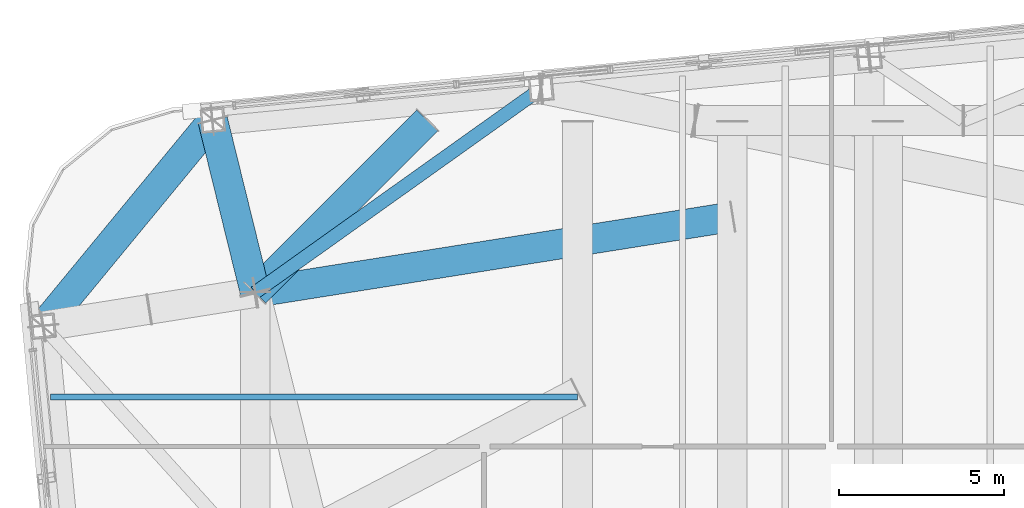
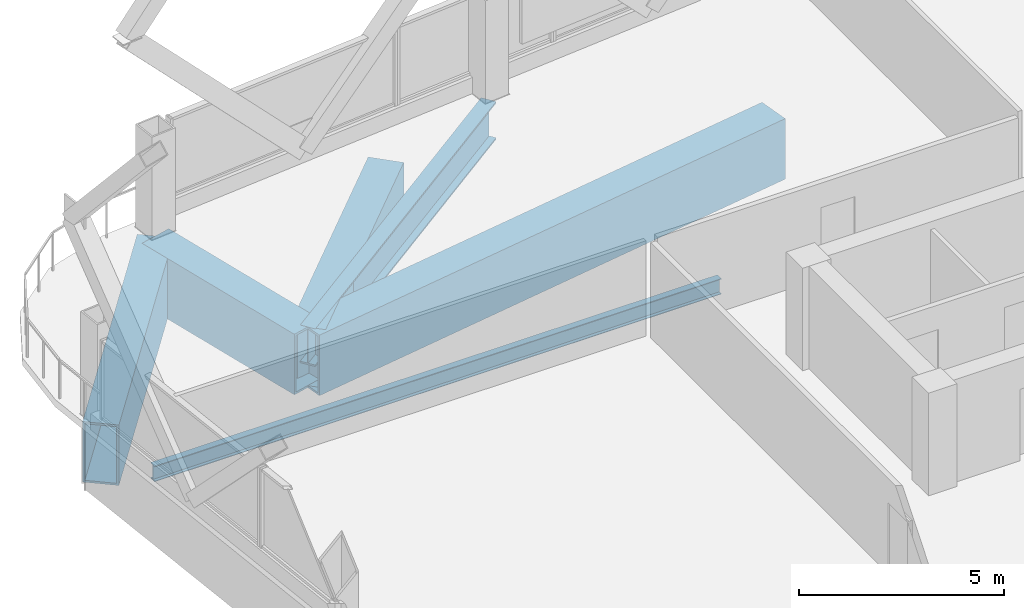
# One storey, part 21 of 37: 6 beams.
"""IFC4 building model written with IfcOpenShell, lengths in metres."""

from ifc_helpers import new_model, si_unit, direction, frame, origin, origin_2d, place, context, subcontext, project, spatial, hollow_rectangle, i_section, extrude, material, material_profile, profile_set, type_object, element, save


model = new_model("IFC4")

# Units and contexts
model_context = context("Model", 3, precision=1e-05, world=origin(), true_north=direction((0.0, 1.0)))
body_context = subcontext(model_context, "Body", "Model", "MODEL_VIEW")
ifc_project = project(units=[si_unit("LENGTHUNIT", "METRE"), si_unit("AREAUNIT", "SQUARE_METRE"), si_unit("VOLUMEUNIT", "CUBIC_METRE"), si_unit("PLANEANGLEUNIT", "RADIAN"), si_unit("MASSUNIT", "GRAM", prefix="KILO")], contexts=[model_context])

# Site, building, storey
site_placement = place(None, origin())
site = spatial("IfcSite", under=ifc_project, at=site_placement, CompositionType="ELEMENT")
building_placement = place(site_placement, origin())
building = spatial("IfcBuilding", under=site, at=building_placement, Name="Qhalaya Broadcast Tower", CompositionType="ELEMENT")
storey_placement = place(building_placement, frame((0.0, 0.0, 156.14990234375)))
storey = spatial("IfcBuildingStorey", under=building, at=storey_placement, Name="L45", CompositionType="ELEMENT", Elevation=156.14990234375)

# Beams
ifc_material_1 = material(Name="Structural Steel ASTM A572 Grade 50", Category="steel")
ifc_material_profile_1 = material_profile(ifc_material_1, hollow_rectangle(XDim=0.89990234375, YDim=1.800048828125, WallThickness=0.06005859375, at=origin_2d()), Name="BOX 900x1800x60")
ifc_profile_set_1 = profile_set([ifc_material_profile_1], Name="Structural Steel ASTM A572 Grade 50")
beam_type_1 = type_object("IfcBeamType", Name="Block Cantilever Transfer Box Girder TG1", PredefinedType="USERDEFINED", material=ifc_profile_set_1)
beam_1_placement = place(storey_placement, frame((-20.400390625, 22.662109375, -1.119873046875), z_axis=(-0.636070241972, -0.771631160126, 0.0), x_axis=(0.771631160126, -0.636070241972, 0.0)))
element("IfcBeam", 1, at=beam_1_placement, inside=storey, type_object=beam_type_1, Name="L45 TG1 L45-SPR-12", ObjectType="GIRDER", PredefinedType="USERDEFINED", context=body_context, shape_type="SweptSolid", body=[
    extrude(hollow_rectangle(XDim=0.89990234375, YDim=1.800048828125, WallThickness=0.06005859375, at=origin_2d()), origin(), (0.0, 0.0, 1.0), 8.06103515625),
])
beam_2_placement = place(storey_placement, frame((-13.919921875, 22.659912109375, -1.119873046875), z_axis=(-0.707123380132, -0.707090181851, 0.0), x_axis=(0.707090181851, -0.707123380132, 0.0)))
element("IfcBeam", 2, at=beam_2_placement, inside=storey, type_object=beam_type_1, Name="L45 TG1 L45-TGL-12", ObjectType="GIRDER", PredefinedType="USERDEFINED", context=body_context, shape_type="SweptSolid", body=[
    extrude(hollow_rectangle(XDim=0.89990234375, YDim=1.800048828125, WallThickness=0.06005859375, at=origin_2d()), origin(), (0.0, 0.0, 1.0), 7.35400390625),
])
beam_3_placement = place(storey_placement, frame((-19.1201171875, 17.4599609375, -1.119873046875), z_axis=(-0.238974096269, 0.971025942657, 0.0), x_axis=(-0.971025942657, -0.238974096269, 0.0)))
element("IfcBeam", 3, at=beam_3_placement, inside=storey, type_object=beam_type_1, Name="L45 Cantilever Transfer Box Girder 12", ObjectType="GIRDER", PredefinedType="USERDEFINED", context=body_context, shape_type="SweptSolid", body=[
    extrude(hollow_rectangle(XDim=0.89990234375, YDim=1.800048828125, WallThickness=0.06005859375, at=origin_2d()), origin(), (0.0, 0.0, 1.0), 5.357421875),
])
beam_4_placement = place(storey_placement, frame((-4.699951171875, 19.7509765625, -1.119873046875), z_axis=(-0.987613246031, -0.156907859151, 0.0), x_axis=(0.156907859151, -0.987613246031, 0.0)))
element("IfcBeam", 4, at=beam_4_placement, inside=storey, type_object=beam_type_1, Name="L45 Collinear Back-Span Transfer Box Girder 13", ObjectType="GIRDER", PredefinedType="USERDEFINED", context=body_context, shape_type="SweptSolid", body=[
    extrude(hollow_rectangle(XDim=0.89990234375, YDim=1.800048828125, WallThickness=0.06005859375, at=origin_2d()), origin(), (0.0, 0.0, 1.0), 14.60107421875),
])
ifc_material_2 = material(Name="Structural Steel ASTM A992 Grade 50", Category="steel")
ifc_material_profile_2 = material_profile(ifc_material_2, i_section(OverallWidth=0.19189453125, OverallDepth=0.462890625, WebThickness=0.010498046875, FlangeThickness=0.017578125, at=origin_2d()), Name="W18X60")
ifc_profile_set_2 = profile_set([ifc_material_profile_2], Name="Structural Steel ASTM A992 Grade 50")
beam_type_2 = type_object("IfcBeamType", Name="Composite Floor Joist J03", PredefinedType="JOIST", material=ifc_profile_set_2)
beam_5_placement = place(storey_placement, frame((-25.301513671875, 14.300048828125, -0.451416015625), z_axis=(1.0, 0.0, 0.0), x_axis=(0.0, 1.0, 0.0)))
element("IfcBeam", 5, at=beam_5_placement, inside=storey, type_object=beam_type_2, Name="L45 J03 L45-JWE6W-1", PredefinedType="JOIST", context=body_context, shape_type="SweptSolid", body=[
    extrude(i_section(OverallWidth=0.19189453125, OverallDepth=0.462890625, WebThickness=0.010498046875, FlangeThickness=0.017578125, at=origin_2d()), origin(), (0.0, 0.0, 1.0), 15.926513671875),
])
ifc_material_profile_3 = material_profile(ifc_material_2, i_section(OverallWidth=0.404052734375, OverallDepth=1.117919921875, WebThickness=0.026123046875, FlangeThickness=0.044921875, at=origin_2d()), Name="W44X335")
ifc_profile_set_3 = profile_set([ifc_material_profile_3], Name="Structural Steel ASTM A992 Grade 50")
beam_type_3 = type_object("IfcBeamType", Name="Podium Long-Span Primary Girder PG1", PredefinedType="USERDEFINED", material=ifc_profile_set_3)
beam_6_placement = place(storey_placement, frame((-19.1201171875, 17.4599609375, -0.77880859375), z_axis=(0.814385957018, 0.580323627825, 0.0), x_axis=(-0.580323627825, 0.814385957018, 0.0)))
element("IfcBeam", 6, at=beam_6_placement, inside=storey, type_object=beam_type_3, Name="L45 Column-to-Column Moment Tie Girder 11-3", ObjectType="GIRDER", PredefinedType="USERDEFINED", context=body_context, shape_type="SweptSolid", body=[
    extrude(i_section(OverallWidth=0.404052734375, OverallDepth=1.117919921875, WebThickness=0.026123046875, FlangeThickness=0.044921875, at=origin_2d()), origin(), (0.0, 0.0, 1.0), 10.610107421875),
])

save(model, "model.ifc")
